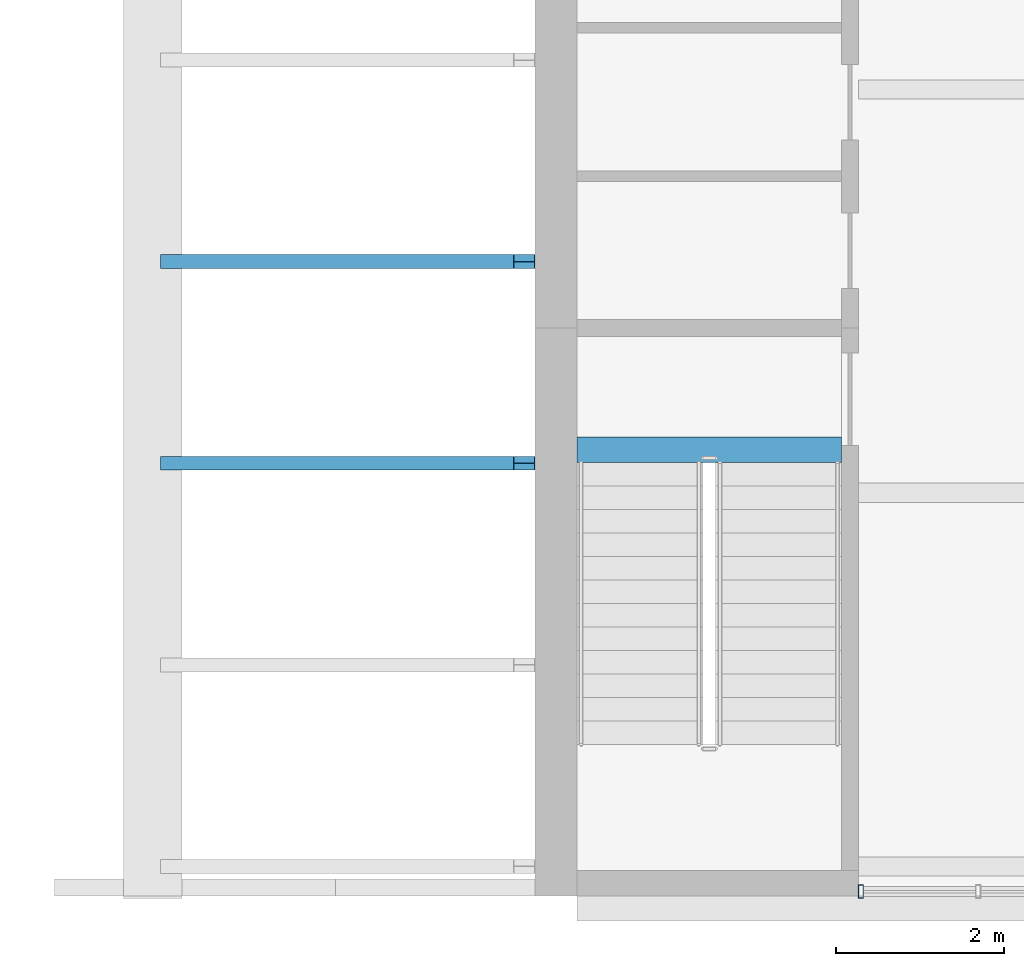
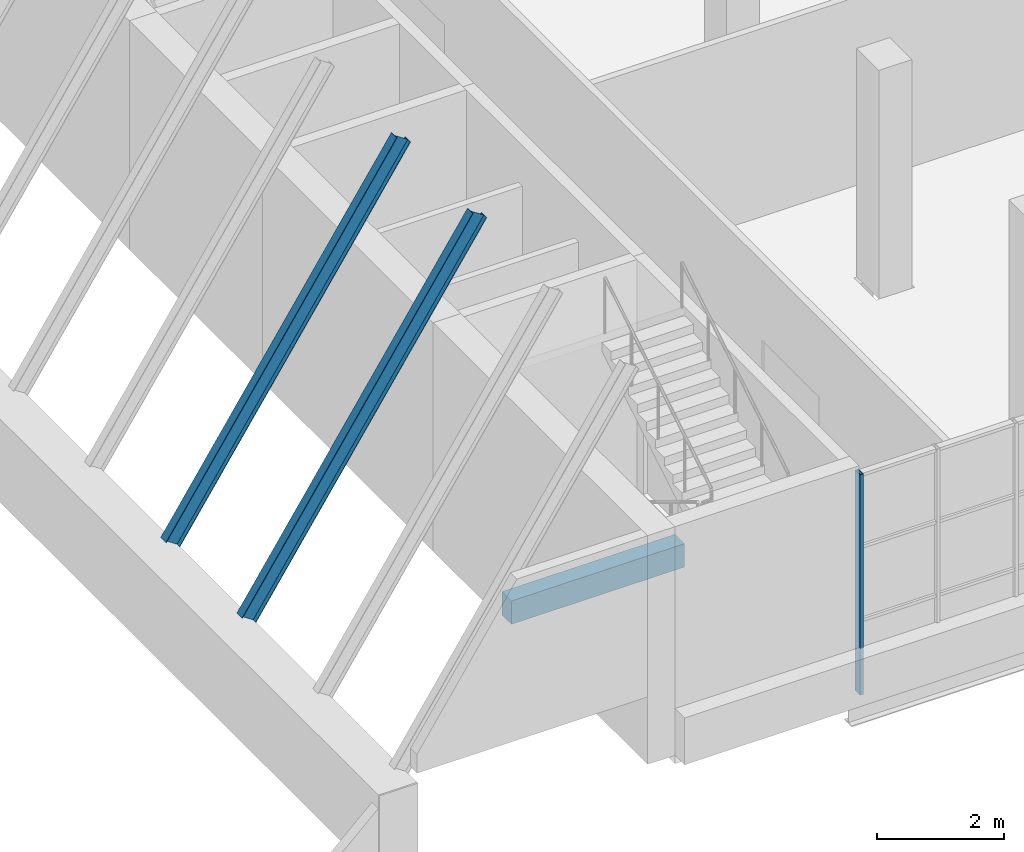
# One storey, part 8 of 32: 3 beams, 1 member, 1 element without a shape of its own.
"""IFC4 building model written with IfcOpenShell, lengths in metres."""

from ifc_helpers import new_model, si_unit, direction, frame, origin, origin_2d, place, context, subcontext, project, spatial, rectangle, hollow_rectangle, i_section, extrude, material, layer, layer_set, material_profile, profile_set, type_object, element, aggregate, save


model = new_model("IFC4")

# Units and contexts
model_context = context("Model", 3, precision=1e-05, world=origin(), true_north=direction((0.0, 1.0)))
body_context = subcontext(model_context, "Body", "Model", "MODEL_VIEW")
ifc_project = project(units=[si_unit("LENGTHUNIT", "METRE"), si_unit("AREAUNIT", "SQUARE_METRE"), si_unit("VOLUMEUNIT", "CUBIC_METRE"), si_unit("PLANEANGLEUNIT", "RADIAN"), si_unit("MASSUNIT", "GRAM", prefix="KILO")], contexts=[model_context])

# Site, building, storey
site_placement = place(None, origin())
site = spatial("IfcSite", under=ifc_project, at=site_placement, CompositionType="ELEMENT")
building_placement = place(site_placement, origin())
building = spatial("IfcBuilding", under=site, at=building_placement, Name="Baori Bourse Tower", CompositionType="ELEMENT")
storey_placement = place(building_placement, frame((0.0, 0.0, 21.39990234375)))
storey = spatial("IfcBuildingStorey", under=building, at=storey_placement, Name="L03", CompositionType="ELEMENT", Elevation=21.39990234375)

# Beams
ifc_material_1 = material(Name="Concrete f'c 40 MPa", Category="concrete")
ifc_material_profile_1 = material_profile(ifc_material_1, rectangle(XDim=0.300048828125, YDim=0.449951171875, at=origin_2d()), Name="Stair trimmer beam 300x450")
ifc_profile_set_1 = profile_set([ifc_material_profile_1], Name="Concrete f'c 40 MPa")
beam_type_1 = type_object("IfcBeamType", Name="Stair trimmer beam 300x450", PredefinedType="BEAM", material=ifc_profile_set_1)
beam_placement = place(storey_placement, frame((57.85009765625, -19.889892578125, -0.385009765625), z_axis=(1.0, 0.0, 0.0), x_axis=(0.0, 1.0, 0.0)))
element("IfcBeam", 1, at=beam_placement, inside=storey, type_object=beam_type_1, Name="wing/L03/Etrimmer/002", PredefinedType="BEAM", context=body_context, shape_type="SweptSolid", body=[
    extrude(rectangle(XDim=0.300048828125, YDim=0.449951171875, at=origin_2d()), origin(), (0.0, 0.0, 1.0), 3.14990234375),
])
ifc_material_2 = material(Name="Steel A992 Gr 50", Category="steel")
ifc_material_profile_2 = material_profile(ifc_material_2, i_section(OverallWidth=0.164794921875, OverallDepth=0.309814453125, WebThickness=0.005859375, FlangeThickness=0.009765625, at=origin_2d()), Name="W12x26")
ifc_profile_set_2 = profile_set([ifc_material_profile_2], Name="Steel A992 Gr 50")
beam_type_2 = type_object("IfcBeamType", Name="Wing beam W12x26", PredefinedType="BEAM", material=ifc_profile_set_2)
for number, where, z_axis, x_axis, name in (
    (2, (53.02099609375, -20.050048828125, 1.212646484375), (0.553370739952, 0.0, 0.832935065995), (0.0, 1.0, 0.0), "wing/L03/purlin/013"),
    (3, (53.02099609375, -17.64990234375, 1.212646484375), (0.553370739952, 0.0, 0.832935065995), (0.0, 1.0, 0.0), "wing/L03/purlin/014"),
):
    element("IfcBeam", number, at=place(storey_placement, frame(where, z_axis=z_axis, x_axis=x_axis)), inside=storey, type_object=beam_type_2, Name=name, PredefinedType="BEAM", context=body_context, shape_type="SweptSolid", body=[
        extrude(i_section(OverallWidth=0.164794921875, OverallDepth=0.309814453125, WebThickness=0.005859375, FlangeThickness=0.009765625, at=origin_2d()), origin(), (0.0, 0.0, 1.0), 7.58984375),
    ])

# Curtain wall, member
ifc_material_3 = material(Name="Pale anodised aluminium", Category="aluminium")
ifc_layer = layer(ifc_material_3, 0.10009765625)
ifc_layer_set = layer_set([ifc_layer], Name="Wing curtain wall")
curtain_wall_type = type_object("IfcCurtainWallType", Name="Wing curtain wall", PredefinedType="NOTDEFINED", material=ifc_layer_set)
curtain_wall_placement = place(storey_placement, origin())
curtain_wall = element("IfcCurtainWall", 4, at=curtain_wall_placement, inside=storey, type_object=curtain_wall_type, Name="wing/L03/Ecw/003", PredefinedType="NOTDEFINED")
ifc_material_4 = material(Name="Pale anodised aluminium", Category="aluminium")
ifc_material_profile_3 = material_profile(ifc_material_4, hollow_rectangle(XDim=0.159912109375, YDim=0.06005859375, WallThickness=0.0048828125, at=origin_2d()), Name="Mullion 160x60x5")
ifc_profile_set_3 = profile_set([ifc_material_profile_3], Name="Pale anodised aluminium")
member_type = type_object("IfcMemberType", Name="Wing mullion 60x160", PredefinedType="MULLION", material=ifc_profile_set_3)
member_placement = place(storey_placement, frame((61.22998046875, -25.14990234375, 0.0), z_axis=(0.0, 0.0, 1.0), x_axis=(0.0, 1.0, 0.0)))
member = element("IfcMember", 5, at=member_placement, type_object=member_type, Name="X12 mullion 1", PredefinedType="MULLION", context=body_context, shape_type="SweptSolid", body=[
    extrude(hollow_rectangle(XDim=0.159912109375, YDim=0.06005859375, WallThickness=0.0048828125, at=origin_2d()), origin(), (0.0, 0.0, 1.0), 4.239990234375),
])
aggregate(curtain_wall, [member])

save(model, "model.ifc")
